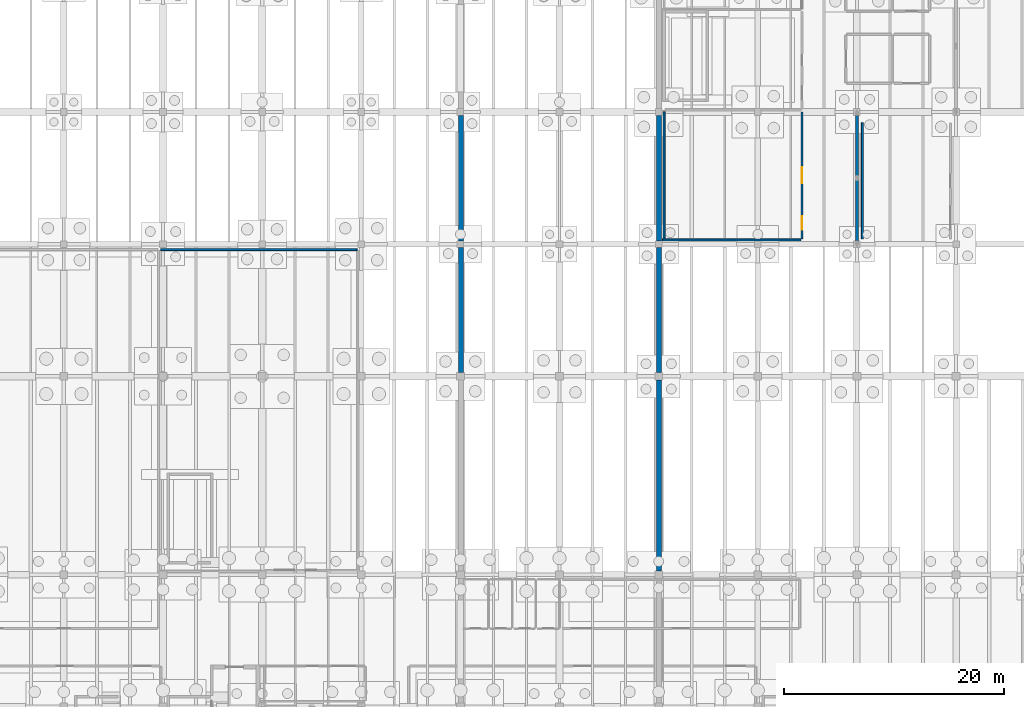
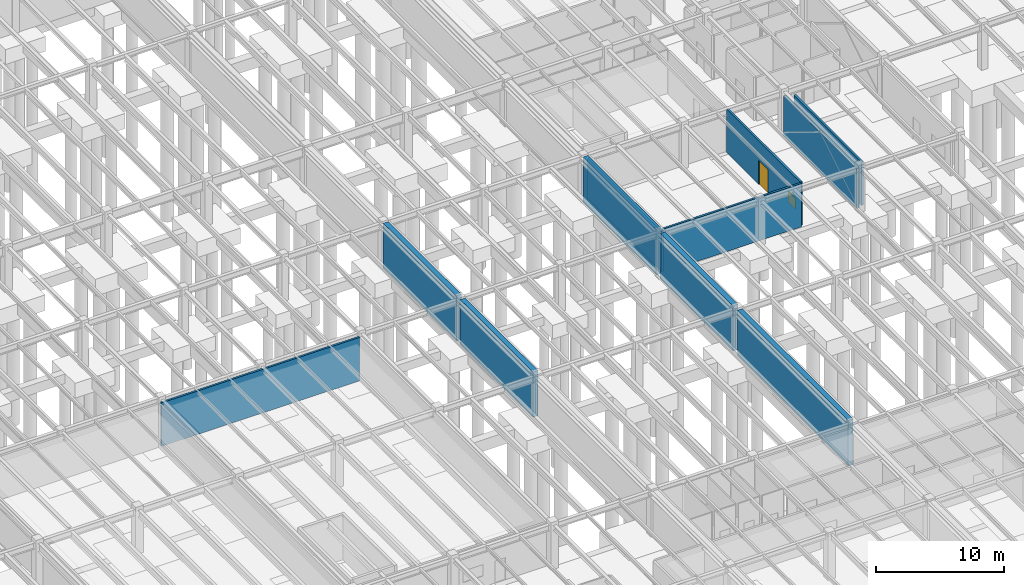
# One storey, part 30 of 40: 11 walls, 1 door, 1 window, 2 openings.
"""IFC4 building model written with IfcOpenShell, lengths in metres."""

from ifc_helpers import new_model, si_unit, direction, frame, frame_2d, origin, place, context, subcontext, project, spatial, rectangle, extrude, material, layer, layer_set, type_object, element, fill, save


model = new_model("IFC4")

# Units and contexts
model_context = context("Model", 3, precision=1e-05, world=origin(), true_north=direction((0.0, 1.0)))
body_context = subcontext(model_context, "Body", "Model", "MODEL_VIEW")
ifc_project = project(units=[si_unit("LENGTHUNIT", "METRE"), si_unit("AREAUNIT", "SQUARE_METRE"), si_unit("VOLUMEUNIT", "CUBIC_METRE"), si_unit("PLANEANGLEUNIT", "RADIAN"), si_unit("MASSUNIT", "GRAM", prefix="KILO")], contexts=[model_context])

# Site, building, storey
site_placement = place(None, origin())
site = spatial("IfcSite", under=ifc_project, at=site_placement, CompositionType="ELEMENT")
building_placement = place(site_placement, origin())
building = spatial("IfcBuilding", under=site, at=building_placement, Name="Montelvaro Courts of Justice", CompositionType="ELEMENT")
storey_placement = place(building_placement, frame((0.0, 0.0, -4.5)))
storey = spatial("IfcBuildingStorey", under=building, at=storey_placement, Name="B01", CompositionType="ELEMENT", Elevation=-4.5)

# Wall
ifc_material_1 = material(Name="Fire-rated gypsum and steel stud", Category="steel")
ifc_layer_1 = layer(ifc_material_1, 0.179931640625)
ifc_layer_set_1 = layer_set([ifc_layer_1], Name="Fire-rated gypsum and steel stud")
wall_type_1 = type_object("IfcWallType", Name="CorridorFireWall_180", PredefinedType="PARTITIONING", material=ifc_layer_set_1)
wall_1_placement = place(storey_placement, frame((53.780029296875, 53.5, 0.0), z_axis=(0.0, 0.0, 1.0), x_axis=(1.0, 0.0, 0.0)))
element("IfcWall", 1, at=wall_1_placement, inside=storey, type_object=wall_type_1, Name="Interior Partition IW-02 (B01)", PredefinedType="PARTITIONING", context=body_context, shape_type="SweptSolid", body=[
    extrude(rectangle(XDim=17.840087890625, YDim=0.179931640625, at=frame_2d((8.919921875, 0.0))), origin(), (0.0, 0.0, 1.0), 4.139892578125),
])

# Wall, openings, door, window
wall_2_placement = place(storey_placement, frame((112.0, 66.02001953125, 0.0), z_axis=(0.0, 0.0, 1.0), x_axis=(0.0, -1.0, 0.0)))
wall_2 = element("IfcWall", 2, at=wall_2_placement, inside=storey, type_object=wall_type_1, Name="Interior Partition IW-02 (B01)", PredefinedType="PARTITIONING", context=body_context, shape_type="SweptSolid", body=[
    extrude(rectangle(XDim=11.5400390625, YDim=0.179931640625, at=frame_2d((5.77001953125, 0.0))), origin(), (0.0, 0.0, 1.0), 4.139892578125),
])
opening_1_placement = place(wall_2_placement, frame((5.044921875, 0.0, 0.0)))
opening_1 = element("IfcOpeningElement", 3, at=opening_1_placement, cuts=wall_2, Name="Opening D-B01-018", PredefinedType="OPENING", context=body_context, shape_type="SweptSolid", body=[
    extrude(rectangle(XDim=1.449951171875, YDim=2.300048828125, at=frame_2d((0.72509765625, 1.14990234375))), frame((0.0, 0.10498046875, 0.0), z_axis=(0.0, -1.0, 0.0), x_axis=(1.0, 0.0, 0.0)), (0.0, 0.0, 1.0), 0.209716796875),
])
opening_2_placement = place(wall_2_placement, frame((9.489990234375, 0.0, 1.050048828125)))
opening_2 = element("IfcOpeningElement", 4, at=opening_2_placement, cuts=wall_2, Name="Opening WI-03", PredefinedType="OPENING", context=body_context, shape_type="SweptSolid", body=[
    extrude(rectangle(XDim=1.199951171875, YDim=1.0, at=frame_2d((0.60009765625, 0.5))), frame((0.0, 0.10498046875, 0.0), z_axis=(0.0, -1.0, 0.0), x_axis=(1.0, 0.0, 0.0)), (0.0, 0.0, 1.0), 0.209716796875),
])
ifc_material_2 = material(Name="Galvanised steel S355 security door", Category="steel")
door_type = type_object("IfcDoorType", Name="ArchiveVaultDoor_145x230", OperationType="DOUBLE_DOOR_SINGLE_SWING", PredefinedType="DOOR", material=ifc_material_2)
door_placement = place(opening_1_placement, origin())
door = element("IfcDoor", 5, at=door_placement, inside=storey, type_object=door_type, Name="Interior Door D-B01-018 (Electrical Substation Plant Room)", OperationType="DOUBLE_DOOR_SINGLE_SWING", OverallHeight=2.300048828125, OverallWidth=1.449951171875, PredefinedType="DOOR", context=body_context, shape_type="SweptSolid", body=[
    extrude(rectangle(XDim=1.449951171875, YDim=2.300048828125, at=frame_2d((0.72509765625, 1.14990234375))), frame((0.0, 0.02490234375, 0.0), z_axis=(0.0, -1.0, 0.0), x_axis=(1.0, 0.0, 0.0)), (0.0, 0.0, 1.0), 0.050048828125),
])
fill(opening_1, door)
ifc_material_3 = material(Name="Acoustic laminated double glazing", Category="glass")
window_type = type_object("IfcWindowType", Name="IntVision_120x100", PartitioningType="SINGLE_PANEL", PredefinedType="WINDOW", material=ifc_material_3)
window_placement = place(opening_2_placement, origin())
window = element("IfcWindow", 6, at=window_placement, inside=storey, type_object=window_type, Name="Interior Vision Panel WI-011", OverallHeight=1.0, OverallWidth=1.199951171875, PartitioningType="SINGLE_PANEL", PredefinedType="WINDOW", context=body_context, shape_type="SweptSolid", body=[
    extrude(rectangle(XDim=1.199951171875, YDim=1.0, at=frame_2d((0.60009765625, 0.5))), frame((0.0, 0.030029296875, 0.0), z_axis=(0.0, -1.0, 0.0), x_axis=(1.0, 0.0, 0.0)), (0.0, 0.0, 1.0), 0.06005859375),
])
fill(opening_2, window)

# Walls
wall_3_placement = place(storey_placement, frame((111.919921875, 54.39990234375, 0.0), z_axis=(0.0, 0.0, 1.0), x_axis=(-1.0, 0.0, 0.0)))
element("IfcWall", 7, at=wall_3_placement, inside=storey, type_object=wall_type_1, Name="Interior Partition IW-02 (B01)", PredefinedType="PARTITIONING", context=body_context, shape_type="SweptSolid", body=[
    extrude(rectangle(XDim=12.573974609375, YDim=0.179931640625, at=frame_2d((6.287109375, 0.0))), origin(), (0.0, 0.0, 1.0), 4.139892578125),
])
wall_4_placement = place(storey_placement, frame((99.5, 54.47998046875, 0.0), z_axis=(0.0, 0.0, 1.0), x_axis=(0.0, 1.0, 0.0)))
element("IfcWall", 8, at=wall_4_placement, inside=storey, type_object=wall_type_1, Name="Interior Partition IW-02 (B01)", PredefinedType="PARTITIONING", context=body_context, shape_type="SweptSolid", body=[
    extrude(rectangle(XDim=11.5400390625, YDim=0.179931640625, at=frame_2d((5.77001953125, 0.0))), origin(), (0.0, 0.0, 1.0), 3.8349609375),
])
wall_5_placement = place(storey_placement, frame((117.5, 54.47998046875, 0.0), z_axis=(0.0, 0.0, 1.0), x_axis=(0.0, 1.0, 0.0)))
element("IfcWall", 9, at=wall_5_placement, inside=storey, type_object=wall_type_1, Name="Interior Partition IW-02 (B01)", PredefinedType="PARTITIONING", context=body_context, shape_type="SweptSolid", body=[
    extrude(rectangle(XDim=10.5400390625, YDim=0.179931640625, at=frame_2d((5.27001953125, 0.0))), origin(), (0.0, 0.0, 1.0), 4.139892578125),
])
ifc_material_4 = material(Name="Concrete C35/45", Category="concrete")
ifc_layer_2 = layer(ifc_material_4, 0.449951171875)
ifc_layer_set_2 = layer_set([ifc_layer_2], Name="Concrete C35/45")
wall_type_2 = type_object("IfcWallType", Name="RetainingWall_450", PredefinedType="USERDEFINED", material=ifc_layer_set_2)
wall_6_placement = place(storey_placement, frame((99.050048828125, 65.7041015625, 0.0), z_axis=(0.0, 0.0, 1.0), x_axis=(0.0, -1.0, 0.0)))
element("IfcWall", 10, at=wall_6_placement, inside=storey, type_object=wall_type_2, Name="Basement Plinth Retaining Wall RW-01-030", ObjectType="RETAININGWALL", PredefinedType="USERDEFINED", context=body_context, shape_type="SweptSolid", body=[
    extrude(rectangle(XDim=11.408203125, YDim=0.449951171875, at=frame_2d((5.7041015625, 0.0))), origin(), (0.0, 0.0, 1.0), 4.320068359375),
])
wall_7_placement = place(storey_placement, frame((99.050048828125, 53.7041015625, 0.0), z_axis=(0.0, 0.0, 1.0), x_axis=(0.0, -1.0, 0.0)))
element("IfcWall", 11, at=wall_7_placement, inside=storey, type_object=wall_type_2, Name="Basement Plinth Retaining Wall RW-01-031", ObjectType="RETAININGWALL", PredefinedType="USERDEFINED", context=body_context, shape_type="SweptSolid", body=[
    extrude(rectangle(XDim=11.358154296875, YDim=0.449951171875, at=frame_2d((5.67919921875, 0.0))), origin(), (0.0, 0.0, 1.0), 4.320068359375),
])
wall_8_placement = place(storey_placement, frame((99.050048828125, 41.654052734375, 0.0), z_axis=(0.0, 0.0, 1.0), x_axis=(0.0, -1.0, 0.0)))
element("IfcWall", 12, at=wall_8_placement, inside=storey, type_object=wall_type_2, Name="Basement Plinth Retaining Wall RW-01-032", ObjectType="RETAININGWALL", PredefinedType="USERDEFINED", context=body_context, shape_type="SweptSolid", body=[
    extrude(rectangle(XDim=17.30810546875, YDim=0.449951171875, at=frame_2d((8.654052734375, 0.0))), origin(), (0.0, 0.0, 1.0), 4.320068359375),
])
wall_9_placement = place(storey_placement, frame((81.050048828125, 65.7041015625, 0.0), z_axis=(0.0, 0.0, 1.0), x_axis=(0.0, -1.0, 0.0)))
element("IfcWall", 13, at=wall_9_placement, inside=storey, type_object=wall_type_2, Name="Basement Plinth Retaining Wall RW-01-042", ObjectType="RETAININGWALL", PredefinedType="USERDEFINED", context=body_context, shape_type="SweptSolid", body=[
    extrude(rectangle(XDim=11.408203125, YDim=0.449951171875, at=frame_2d((5.7041015625, 0.0))), origin(), (0.0, 0.0, 1.0), 4.320068359375),
])
wall_10_placement = place(storey_placement, frame((81.050048828125, 53.7041015625, 0.0), z_axis=(0.0, 0.0, 1.0), x_axis=(0.0, -1.0, 0.0)))
element("IfcWall", 14, at=wall_10_placement, inside=storey, type_object=wall_type_2, Name="Basement Plinth Retaining Wall RW-01-043", ObjectType="RETAININGWALL", PredefinedType="USERDEFINED", context=body_context, shape_type="SweptSolid", body=[
    extrude(rectangle(XDim=11.358154296875, YDim=0.449951171875, at=frame_2d((5.67919921875, 0.0))), origin(), (0.0, 0.0, 1.0), 4.320068359375),
])
ifc_layer_3 = layer(ifc_material_4, 0.239990234375)
ifc_layer_set_3 = layer_set([ifc_layer_3], Name="Concrete C35/45")
wall_type_3 = type_object("IfcWallType", Name="ShaftWall_240", PredefinedType="SHEAR", material=ifc_layer_set_3)
wall_11_placement = place(storey_placement, frame((117.0, 54.2958984375, 0.0), z_axis=(0.0, 0.0, 1.0), x_axis=(0.0, 1.0, 0.0)))
element("IfcWall", 15, at=wall_11_placement, inside=storey, type_object=wall_type_3, Name="Enclosed Braced Frame Structural Wall CBF4 (B01)", PredefinedType="SHEAR", context=body_context, shape_type="SweptSolid", body=[
    extrude(rectangle(XDim=11.408203125, YDim=0.239990234375, at=frame_2d((5.7041015625, 0.0))), origin(), (0.0, 0.0, 1.0), 3.824951171875),
])

save(model, "model.ifc")
